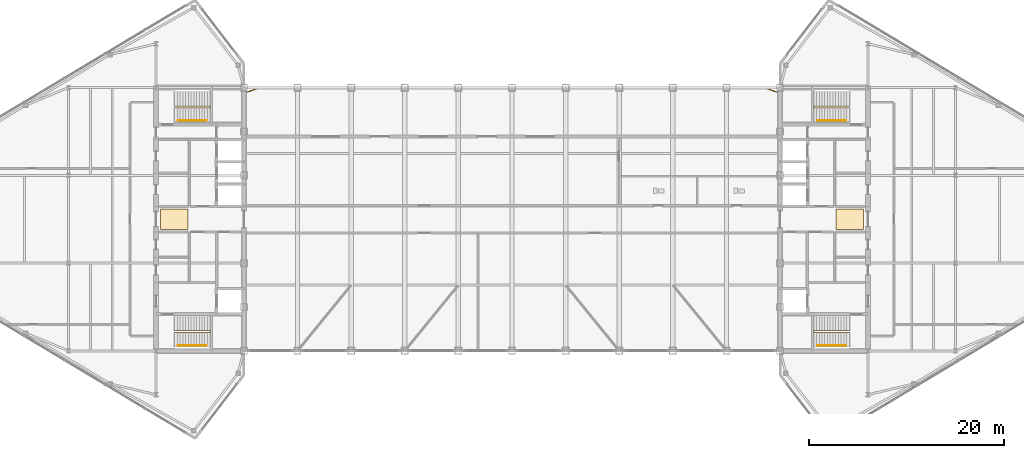
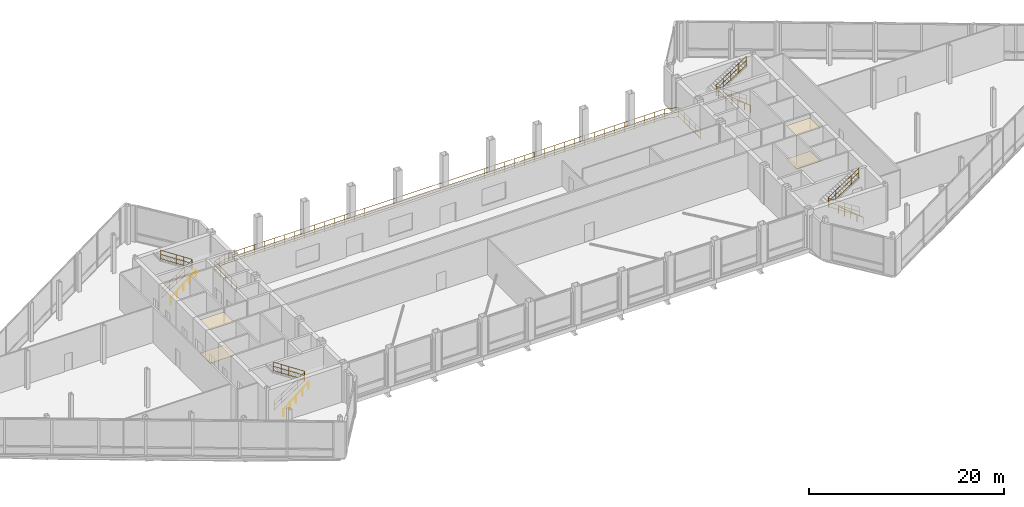
# One storey, part 27 of 28: 9 railings, 4 coverings.
"""IFC4 building model written with IfcOpenShell, lengths in metres."""

from ifc_helpers import new_model, si_unit, direction, frame, origin, origin_2d, place, context, subcontext, project, spatial, polyline, circle, outline, extrude, material, layer, layer_set, type_object, element, save


model = new_model("IFC4")

# Units and contexts
model_context = context("Model", 3, precision=1e-05, world=origin(), true_north=direction((0.0, 1.0)))
body_context = subcontext(model_context, "Body", "Model", "MODEL_VIEW")
ifc_project = project(units=[si_unit("LENGTHUNIT", "METRE"), si_unit("AREAUNIT", "SQUARE_METRE"), si_unit("VOLUMEUNIT", "CUBIC_METRE"), si_unit("PLANEANGLEUNIT", "RADIAN"), si_unit("MASSUNIT", "GRAM", prefix="KILO")], contexts=[model_context])

# Site, building, storey
site_placement = place(None, origin())
site = spatial("IfcSite", under=ifc_project, at=site_placement, CompositionType="ELEMENT")
building_placement = place(site_placement, origin())
building = spatial("IfcBuilding", under=site, at=building_placement, Name="Seokmaru Belvedere", CompositionType="ELEMENT")
storey_placement = place(building_placement, frame((0.0, 0.0, 274.199951171875)))
storey = spatial("IfcBuildingStorey", under=building, at=storey_placement, Name="L72", CompositionType="ELEMENT", Elevation=274.199951171875)

# Coverings
ifc_material_1 = material(Name="Honed Incheon Granite Stone", Category="masonry")
ifc_layer_1 = layer(ifc_material_1, 0.030029296875)
ifc_layer_set_1 = layer_set([ifc_layer_1], Name="Honed Incheon Granite Stone")
covering_type_1 = type_object("IfcCoveringType", Name="Honed Granite Lobby Floor Finish 30", PredefinedType="FLOORING", material=ifc_layer_set_1)
covering_1_placement = place(storey_placement, origin())
element("IfcCovering", 1, at=covering_1_placement, inside=storey, type_object=covering_type_1, Name="L72 W Foyer Floor Finish", PredefinedType="FLOORING", context=body_context, shape_type="SweptSolid", body=[
    extrude(outline(polyline([(-36.050048828125, -1.050048828125), (-33.25, -1.050048828125), (-33.25, 1.050048828125), (-36.050048828125, 1.050048828125), (-36.050048828125, -1.050048828125)])), origin(), (0.0, 0.0, 1.0), 0.030029296875),
])
covering_2_placement = place(storey_placement, origin())
element("IfcCovering", 2, at=covering_2_placement, inside=storey, type_object=covering_type_1, Name="L72 E Foyer Floor Finish", PredefinedType="FLOORING", context=body_context, shape_type="SweptSolid", body=[
    extrude(outline(polyline([(33.25, -1.050048828125), (36.050048828125, -1.050048828125), (36.050048828125, 1.050048828125), (33.25, 1.050048828125), (33.25, -1.050048828125)])), origin(), (0.0, 0.0, 1.0), 0.030029296875),
])

# Railing
ifc_material_2 = material(Name="Stainless Steel 316", Category="steel")
railing_type_1 = type_object("IfcRailingType", Name="Observation Terrace Laminated Balustrade 1300", PredefinedType="GUARDRAIL", material=ifc_material_2)
railing_1_placement = place(storey_placement, frame((-27.419921875, 8.52001953125, 0.0)))
element("IfcRailing", 3, at=railing_1_placement, inside=storey, type_object=railing_type_1, Name="L72 Public Observation Terrace Balustrade", PredefinedType="GUARDRAIL", context=body_context, shape_type="SweptSolid", body=[
    extrude(circle(Radius=0.02392578125, at=origin_2d()), frame((0.0, 0.0, 1.27587890625), z_axis=(0.0, 1.0, 0.0), x_axis=(-1.0, 0.0, 0.0)), (0.0, 0.0, 1.0), 4.4599609375),
    extrude(circle(Radius=0.02392578125, at=origin_2d()), frame((0.0, 0.0, 0.1201171875), z_axis=(0.0, 1.0, 0.0), x_axis=(-1.0, 0.0, 0.0)), (0.0, 0.0, 1.0), 4.4599609375),
    extrude(circle(Radius=0.02392578125, at=origin_2d()), frame((0.0, 0.0, 0.715087890625), z_axis=(0.0, 1.0, 0.0), x_axis=(-1.0, 0.0, 0.0)), (0.0, 0.0, 1.0), 4.4599609375),
    extrude(circle(Radius=0.02392578125, at=origin_2d()), frame((0.0, 4.4599609375, 1.27587890625), z_axis=(0.950647183961, 0.310273962212, 0.0), x_axis=(-0.310273962212, 0.950647183961, 0.0)), (0.0, 0.0, 1.0), 1.5146484375),
    extrude(circle(Radius=0.02392578125, at=origin_2d()), frame((0.0, 4.4599609375, 0.1201171875), z_axis=(0.950647183961, 0.310273962212, 0.0), x_axis=(-0.310273962212, 0.950647183961, 0.0)), (0.0, 0.0, 1.0), 1.5146484375),
    extrude(circle(Radius=0.02392578125, at=origin_2d()), frame((0.0, 4.4599609375, 0.715087890625), z_axis=(0.950647183961, 0.310273962212, 0.0), x_axis=(-0.310273962212, 0.950647183961, 0.0)), (0.0, 0.0, 1.0), 1.5146484375),
    extrude(circle(Radius=0.02392578125, at=origin_2d()), frame((1.43994140625, 4.929931640625, 1.27587890625), z_axis=(1.0, 0.0, 0.0), x_axis=(0.0, 1.0, 0.0)), (0.0, 0.0, 1.0), 51.9599609375),
    extrude(circle(Radius=0.02392578125, at=origin_2d()), frame((1.43994140625, 4.929931640625, 0.1201171875), z_axis=(1.0, 0.0, 0.0), x_axis=(0.0, 1.0, 0.0)), (0.0, 0.0, 1.0), 51.9599609375),
    extrude(circle(Radius=0.02392578125, at=origin_2d()), frame((1.43994140625, 4.929931640625, 0.715087890625), z_axis=(1.0, 0.0, 0.0), x_axis=(0.0, 1.0, 0.0)), (0.0, 0.0, 1.0), 51.9599609375),
    extrude(circle(Radius=0.02392578125, at=origin_2d()), frame((53.39990234375, 4.929931640625, 1.27587890625), z_axis=(0.950647183961, -0.310273962212, 0.0), x_axis=(0.310273962212, 0.950647183961, 0.0)), (0.0, 0.0, 1.0), 1.5146484375),
    extrude(circle(Radius=0.02392578125, at=origin_2d()), frame((53.39990234375, 4.929931640625, 0.1201171875), z_axis=(0.950647183961, -0.310273962212, 0.0), x_axis=(0.310273962212, 0.950647183961, 0.0)), (0.0, 0.0, 1.0), 1.5146484375),
    extrude(circle(Radius=0.02392578125, at=origin_2d()), frame((53.39990234375, 4.929931640625, 0.715087890625), z_axis=(0.950647183961, -0.310273962212, 0.0), x_axis=(0.310273962212, 0.950647183961, 0.0)), (0.0, 0.0, 1.0), 1.5146484375),
    extrude(circle(Radius=0.02392578125, at=origin_2d()), frame((54.83984375, 4.4599609375, 1.27587890625), z_axis=(0.0, -1.0, 0.0), x_axis=(1.0, 0.0, 0.0)), (0.0, 0.0, 1.0), 4.4599609375),
    extrude(circle(Radius=0.02392578125, at=origin_2d()), frame((54.83984375, 4.4599609375, 0.1201171875), z_axis=(0.0, -1.0, 0.0), x_axis=(1.0, 0.0, 0.0)), (0.0, 0.0, 1.0), 4.4599609375),
    extrude(circle(Radius=0.02392578125, at=origin_2d()), frame((54.83984375, 4.4599609375, 0.715087890625), z_axis=(0.0, -1.0, 0.0), x_axis=(1.0, 0.0, 0.0)), (0.0, 0.0, 1.0), 4.4599609375),
    extrude(circle(Radius=0.02099609375, at=origin_2d()), origin(), (0.0, 0.0, 1.0), 1.251953125),
    extrude(circle(Radius=0.02099609375, at=origin_2d()), frame((0.0, 1.114990234375, 0.0)), (0.0, 0.0, 1.0), 1.251953125),
    extrude(circle(Radius=0.02099609375, at=origin_2d()), frame((0.0, 2.22998046875, 0.0)), (0.0, 0.0, 1.0), 1.251953125),
    extrude(circle(Radius=0.02099609375, at=origin_2d()), frame((0.0, 3.344970703125, 0.0)), (0.0, 0.0, 1.0), 1.251953125),
    extrude(circle(Radius=0.02099609375, at=origin_2d()), frame((0.0, 4.4599609375, 0.0)), (0.0, 0.0, 1.0), 1.251953125),
    extrude(circle(Radius=0.02099609375, at=origin_2d()), frame((0.719970703125, 4.69482421875, 0.0)), (0.0, 0.0, 1.0), 1.251953125),
    extrude(circle(Radius=0.02099609375, at=origin_2d()), frame((1.43994140625, 4.929931640625, 0.0)), (0.0, 0.0, 1.0), 1.251953125),
    extrude(circle(Radius=0.02099609375, at=origin_2d()), frame((2.620849609375, 4.929931640625, 0.0)), (0.0, 0.0, 1.0), 1.251953125),
    extrude(circle(Radius=0.02099609375, at=origin_2d()), frame((3.8017578125, 4.929931640625, 0.0)), (0.0, 0.0, 1.0), 1.251953125),
    extrude(circle(Radius=0.02099609375, at=origin_2d()), frame((4.982666015625, 4.929931640625, 0.0)), (0.0, 0.0, 1.0), 1.251953125),
    extrude(circle(Radius=0.02099609375, at=origin_2d()), frame((6.16357421875, 4.929931640625, 0.0)), (0.0, 0.0, 1.0), 1.251953125),
    extrude(circle(Radius=0.02099609375, at=origin_2d()), frame((7.344482421875, 4.929931640625, 0.0)), (0.0, 0.0, 1.0), 1.251953125),
    extrude(circle(Radius=0.02099609375, at=origin_2d()), frame((8.525390625, 4.929931640625, 0.0)), (0.0, 0.0, 1.0), 1.251953125),
    extrude(circle(Radius=0.02099609375, at=origin_2d()), frame((9.706298828125, 4.929931640625, 0.0)), (0.0, 0.0, 1.0), 1.251953125),
    extrude(circle(Radius=0.02099609375, at=origin_2d()), frame((10.88720703125, 4.929931640625, 0.0)), (0.0, 0.0, 1.0), 1.251953125),
    extrude(circle(Radius=0.02099609375, at=origin_2d()), frame((12.068115234375, 4.929931640625, 0.0)), (0.0, 0.0, 1.0), 1.251953125),
    extrude(circle(Radius=0.02099609375, at=origin_2d()), frame((13.2490234375, 4.929931640625, 0.0)), (0.0, 0.0, 1.0), 1.251953125),
    extrude(circle(Radius=0.02099609375, at=origin_2d()), frame((14.429931640625, 4.929931640625, 0.0)), (0.0, 0.0, 1.0), 1.251953125),
    extrude(circle(Radius=0.02099609375, at=origin_2d()), frame((15.61083984375, 4.929931640625, 0.0)), (0.0, 0.0, 1.0), 1.251953125),
    extrude(circle(Radius=0.02099609375, at=origin_2d()), frame((16.791748046875, 4.929931640625, 0.0)), (0.0, 0.0, 1.0), 1.251953125),
    extrude(circle(Radius=0.02099609375, at=origin_2d()), frame((17.97265625, 4.929931640625, 0.0)), (0.0, 0.0, 1.0), 1.251953125),
    extrude(circle(Radius=0.02099609375, at=origin_2d()), frame((19.153564453125, 4.929931640625, 0.0)), (0.0, 0.0, 1.0), 1.251953125),
    extrude(circle(Radius=0.02099609375, at=origin_2d()), frame((20.33447265625, 4.929931640625, 0.0)), (0.0, 0.0, 1.0), 1.251953125),
    extrude(circle(Radius=0.02099609375, at=origin_2d()), frame((21.515380859375, 4.929931640625, 0.0)), (0.0, 0.0, 1.0), 1.251953125),
    extrude(circle(Radius=0.02099609375, at=origin_2d()), frame((22.6962890625, 4.929931640625, 0.0)), (0.0, 0.0, 1.0), 1.251953125),
    extrude(circle(Radius=0.02099609375, at=origin_2d()), frame((23.877197265625, 4.929931640625, 0.0)), (0.0, 0.0, 1.0), 1.251953125),
    extrude(circle(Radius=0.02099609375, at=origin_2d()), frame((25.05810546875, 4.929931640625, 0.0)), (0.0, 0.0, 1.0), 1.251953125),
    extrude(circle(Radius=0.02099609375, at=origin_2d()), frame((26.239013671875, 4.929931640625, 0.0)), (0.0, 0.0, 1.0), 1.251953125),
    extrude(circle(Radius=0.02099609375, at=origin_2d()), frame((27.419921875, 4.929931640625, 0.0)), (0.0, 0.0, 1.0), 1.251953125),
    extrude(circle(Radius=0.02099609375, at=origin_2d()), frame((28.600830078125, 4.929931640625, 0.0)), (0.0, 0.0, 1.0), 1.251953125),
    extrude(circle(Radius=0.02099609375, at=origin_2d()), frame((29.78173828125, 4.929931640625, 0.0)), (0.0, 0.0, 1.0), 1.251953125),
    extrude(circle(Radius=0.02099609375, at=origin_2d()), frame((30.962646484375, 4.929931640625, 0.0)), (0.0, 0.0, 1.0), 1.251953125),
    extrude(circle(Radius=0.02099609375, at=origin_2d()), frame((32.1435546875, 4.929931640625, 0.0)), (0.0, 0.0, 1.0), 1.251953125),
    extrude(circle(Radius=0.02099609375, at=origin_2d()), frame((33.324462890625, 4.929931640625, 0.0)), (0.0, 0.0, 1.0), 1.251953125),
    extrude(circle(Radius=0.02099609375, at=origin_2d()), frame((34.50537109375, 4.929931640625, 0.0)), (0.0, 0.0, 1.0), 1.251953125),
    extrude(circle(Radius=0.02099609375, at=origin_2d()), frame((35.686279296875, 4.929931640625, 0.0)), (0.0, 0.0, 1.0), 1.251953125),
    extrude(circle(Radius=0.02099609375, at=origin_2d()), frame((36.8671875, 4.929931640625, 0.0)), (0.0, 0.0, 1.0), 1.251953125),
    extrude(circle(Radius=0.02099609375, at=origin_2d()), frame((38.048095703125, 4.929931640625, 0.0)), (0.0, 0.0, 1.0), 1.251953125),
    extrude(circle(Radius=0.02099609375, at=origin_2d()), frame((39.22900390625, 4.929931640625, 0.0)), (0.0, 0.0, 1.0), 1.251953125),
    extrude(circle(Radius=0.02099609375, at=origin_2d()), frame((40.409912109375, 4.929931640625, 0.0)), (0.0, 0.0, 1.0), 1.251953125),
    extrude(circle(Radius=0.02099609375, at=origin_2d()), frame((41.5908203125, 4.929931640625, 0.0)), (0.0, 0.0, 1.0), 1.251953125),
    extrude(circle(Radius=0.02099609375, at=origin_2d()), frame((42.771728515625, 4.929931640625, 0.0)), (0.0, 0.0, 1.0), 1.251953125),
    extrude(circle(Radius=0.02099609375, at=origin_2d()), frame((43.95263671875, 4.929931640625, 0.0)), (0.0, 0.0, 1.0), 1.251953125),
    extrude(circle(Radius=0.02099609375, at=origin_2d()), frame((45.133544921875, 4.929931640625, 0.0)), (0.0, 0.0, 1.0), 1.251953125),
    extrude(circle(Radius=0.02099609375, at=origin_2d()), frame((46.314453125, 4.929931640625, 0.0)), (0.0, 0.0, 1.0), 1.251953125),
    extrude(circle(Radius=0.02099609375, at=origin_2d()), frame((47.495361328125, 4.929931640625, 0.0)), (0.0, 0.0, 1.0), 1.251953125),
    extrude(circle(Radius=0.02099609375, at=origin_2d()), frame((48.67626953125, 4.929931640625, 0.0)), (0.0, 0.0, 1.0), 1.251953125),
    extrude(circle(Radius=0.02099609375, at=origin_2d()), frame((49.857177734375, 4.929931640625, 0.0)), (0.0, 0.0, 1.0), 1.251953125),
    extrude(circle(Radius=0.02099609375, at=origin_2d()), frame((51.0380859375, 4.929931640625, 0.0)), (0.0, 0.0, 1.0), 1.251953125),
    extrude(circle(Radius=0.02099609375, at=origin_2d()), frame((52.218994140625, 4.929931640625, 0.0)), (0.0, 0.0, 1.0), 1.251953125),
    extrude(circle(Radius=0.02099609375, at=origin_2d()), frame((53.39990234375, 4.929931640625, 0.0)), (0.0, 0.0, 1.0), 1.251953125),
    extrude(circle(Radius=0.02099609375, at=origin_2d()), frame((54.119873046875, 4.69482421875, 0.0)), (0.0, 0.0, 1.0), 1.251953125),
    extrude(circle(Radius=0.02099609375, at=origin_2d()), frame((54.83984375, 4.4599609375, 0.0)), (0.0, 0.0, 1.0), 1.251953125),
    extrude(circle(Radius=0.02099609375, at=origin_2d()), frame((54.83984375, 3.344970703125, 0.0)), (0.0, 0.0, 1.0), 1.251953125),
    extrude(circle(Radius=0.02099609375, at=origin_2d()), frame((54.83984375, 2.22998046875, 0.0)), (0.0, 0.0, 1.0), 1.251953125),
    extrude(circle(Radius=0.02099609375, at=origin_2d()), frame((54.83984375, 1.114990234375, 0.0)), (0.0, 0.0, 1.0), 1.251953125),
    extrude(circle(Radius=0.02099609375, at=origin_2d()), frame((54.83984375, 0.0, 0.0)), (0.0, 0.0, 1.0), 1.251953125),
])

# Coverings
ifc_material_3 = material(Name="Fire-Rated Gypsum Shaftwall")
ifc_layer_2 = layer(ifc_material_3, 0.02490234375)
ifc_layer_set_2 = layer_set([ifc_layer_2], Name="Fire-Rated Gypsum Shaftwall")
covering_type_2 = type_object("IfcCoveringType", Name="Perforated Acoustic Gypsum Suspended Ceiling 25", PredefinedType="CEILING", material=ifc_layer_set_2)
covering_3_placement = place(storey_placement, frame((0.0, 0.0, 4.170166015625)))
element("IfcCovering", 4, at=covering_3_placement, inside=storey, type_object=covering_type_2, Name="L72 W Lift Foyer Acoustic Ceiling", PredefinedType="CEILING", context=body_context, shape_type="SweptSolid", body=[
    extrude(outline(polyline([(-36.050048828125, -1.050048828125), (-33.25, -1.050048828125), (-33.25, 1.050048828125), (-36.050048828125, 1.050048828125), (-36.050048828125, -1.050048828125)])), origin(), (0.0, 0.0, 1.0), 0.02490234375),
])
covering_4_placement = place(storey_placement, frame((0.0, 0.0, 4.170166015625)))
element("IfcCovering", 5, at=covering_4_placement, inside=storey, type_object=covering_type_2, Name="L72 E Lift Foyer Acoustic Ceiling", PredefinedType="CEILING", context=body_context, shape_type="SweptSolid", body=[
    extrude(outline(polyline([(33.25, -1.050048828125), (36.050048828125, -1.050048828125), (36.050048828125, 1.050048828125), (33.25, 1.050048828125), (33.25, -1.050048828125)])), origin(), (0.0, 0.0, 1.0), 0.02490234375),
])

# Railings
railing_type_2 = type_object("IfcRailingType", Name="Stainless Steel Wall and Flight Handrail 900", PredefinedType="HANDRAIL", material=ifc_material_2)
for number, where, name in (
    (6, (-34.25, -12.949951171875, 0.0), "L72 Stair ST-W1 Wall Handrail"),
    (7, (-34.25, 10.110107421875, 0.0), "L72 Stair ST-W2 Wall Handrail"),
):
    element("IfcRailing", number, at=place(storey_placement, frame(where)), inside=storey, type_object=railing_type_2, Name=name, PredefinedType="HANDRAIL", context=body_context, shape_type="SweptSolid", body=[
        extrude(circle(Radius=0.02392578125, at=origin_2d()), frame((0.0, 0.0, 0.8759765625), z_axis=(0.774636117937, 0.0, 0.63240721437), x_axis=(0.0, 1.0, 0.0)), (0.0, 0.0, 1.0), 3.795166015625),
        extrude(circle(Radius=0.02099609375, at=origin_2d()), origin(), (0.0, 0.0, 1.0), 0.851806640625),
        extrude(circle(Radius=0.02099609375, at=origin_2d()), frame((0.73486328125, 0.0, 0.60009765625)), (0.0, 0.0, 1.0), 0.851806640625),
        extrude(circle(Radius=0.02099609375, at=origin_2d()), frame((1.469970703125, 0.0, 1.2001953125)), (0.0, 0.0, 1.0), 0.851806640625),
        extrude(circle(Radius=0.02099609375, at=origin_2d()), frame((2.205078125, 0.0, 1.800048828125)), (0.0, 0.0, 1.0), 0.851806640625),
        extrude(circle(Radius=0.02099609375, at=origin_2d()), frame((2.93994140625, 0.0, 2.400146484375)), (0.0, 0.0, 1.0), 0.851806640625),
    ])
for number, where, name in (
    (8, (34.25, -12.949951171875, 0.0), "L72 Stair ST-E1 Wall Handrail"),
    (9, (34.25, 10.110107421875, 0.0), "L72 Stair ST-E2 Wall Handrail"),
):
    element("IfcRailing", number, at=place(storey_placement, frame(where)), inside=storey, type_object=railing_type_2, Name=name, PredefinedType="HANDRAIL", context=body_context, shape_type="SweptSolid", body=[
        extrude(circle(Radius=0.02392578125, at=origin_2d()), frame((0.0, 0.0, 0.8759765625), z_axis=(-0.774636117937, 0.0, 0.63240721437), x_axis=(0.0, -1.0, 0.0)), (0.0, 0.0, 1.0), 3.795166015625),
        extrude(circle(Radius=0.02099609375, at=origin_2d()), origin(), (0.0, 0.0, 1.0), 0.851806640625),
        extrude(circle(Radius=0.02099609375, at=origin_2d()), frame((-0.73486328125, 0.0, 0.60009765625)), (0.0, 0.0, 1.0), 0.851806640625),
        extrude(circle(Radius=0.02099609375, at=origin_2d()), frame((-1.469970703125, 0.0, 1.2001953125)), (0.0, 0.0, 1.0), 0.851806640625),
        extrude(circle(Radius=0.02099609375, at=origin_2d()), frame((-2.205078125, 0.0, 1.800048828125)), (0.0, 0.0, 1.0), 0.851806640625),
        extrude(circle(Radius=0.02099609375, at=origin_2d()), frame((-2.93994140625, 0.0, 2.400146484375)), (0.0, 0.0, 1.0), 0.851806640625),
    ])
railing_type_3 = type_object("IfcRailingType", Name="Stair Well and Atrium Steel Guardrail 1200", PredefinedType="GUARDRAIL", material=ifc_material_2)
railing_2_placement = place(storey_placement, frame((-34.60009765625, -11.60009765625, 0.0)))
element("IfcRailing", 10, at=railing_2_placement, inside=storey, type_object=railing_type_3, Name="L72 Stair ST-W1 Inner Well Guardrail", PredefinedType="GUARDRAIL", context=body_context, shape_type="SweptSolid", body=[
    extrude(circle(Radius=0.02392578125, at=origin_2d()), frame((0.0, 0.0, 1.17578125), z_axis=(0.834856447115, 0.0, 0.55046772177), x_axis=(0.0, 1.0, 0.0)), (0.0, 0.0, 1.0), 4.360107421875),
    extrude(circle(Radius=0.02392578125, at=origin_2d()), frame((0.0, 0.0, 0.1201171875), z_axis=(0.834856447115, 0.0, 0.55046772177), x_axis=(0.0, 1.0, 0.0)), (0.0, 0.0, 1.0), 4.360107421875),
    extrude(circle(Radius=0.02392578125, at=origin_2d()), frame((0.0, 0.0, 0.659912109375), z_axis=(0.834856447115, 0.0, 0.55046772177), x_axis=(0.0, 1.0, 0.0)), (0.0, 0.0, 1.0), 4.360107421875),
    extrude(circle(Radius=0.02392578125, at=origin_2d()), frame((3.64013671875, 0.0, 3.576171875), z_axis=(0.0, 1.0, 0.0), x_axis=(-1.0, 0.0, 0.0)), (0.0, 0.0, 1.0), 0.14013671875),
    extrude(circle(Radius=0.02392578125, at=origin_2d()), frame((3.64013671875, 0.0, 2.520263671875), z_axis=(0.0, 1.0, 0.0), x_axis=(-1.0, 0.0, 0.0)), (0.0, 0.0, 1.0), 0.14013671875),
    extrude(circle(Radius=0.02392578125, at=origin_2d()), frame((3.64013671875, 0.0, 3.06005859375), z_axis=(0.0, 1.0, 0.0), x_axis=(-1.0, 0.0, 0.0)), (0.0, 0.0, 1.0), 0.14013671875),
    extrude(circle(Radius=0.02392578125, at=origin_2d()), frame((3.64013671875, 0.14013671875, 3.576171875), z_axis=(-0.83488217925, 0.0, 0.55042869363), x_axis=(0.0, -1.0, 0.0)), (0.0, 0.0, 1.0), 4.360107421875),
    extrude(circle(Radius=0.02392578125, at=origin_2d()), frame((3.64013671875, 0.14013671875, 2.520263671875), z_axis=(-0.83488217925, 0.0, 0.55042869363), x_axis=(0.0, -1.0, 0.0)), (0.0, 0.0, 1.0), 4.360107421875),
    extrude(circle(Radius=0.02392578125, at=origin_2d()), frame((3.64013671875, 0.14013671875, 3.06005859375), z_axis=(-0.83488217925, 0.0, 0.55042869363), x_axis=(0.0, -1.0, 0.0)), (0.0, 0.0, 1.0), 4.360107421875),
    extrude(circle(Radius=0.02099609375, at=origin_2d()), origin(), (0.0, 0.0, 1.0), 1.15185546875),
    extrude(circle(Radius=0.02099609375, at=origin_2d()), frame((0.91015625, 0.0, 0.60009765625)), (0.0, 0.0, 1.0), 1.15185546875),
    extrude(circle(Radius=0.02099609375, at=origin_2d()), frame((1.820068359375, 0.0, 1.2001953125)), (0.0, 0.0, 1.0), 1.15185546875),
    extrude(circle(Radius=0.02099609375, at=origin_2d()), frame((2.72998046875, 0.0, 1.800048828125)), (0.0, 0.0, 1.0), 1.15185546875),
    extrude(circle(Radius=0.02099609375, at=origin_2d()), frame((3.64013671875, 0.0, 2.400146484375)), (0.0, 0.0, 1.0), 1.15185546875),
    extrude(circle(Radius=0.02099609375, at=origin_2d()), frame((3.64013671875, 0.14013671875, 2.400146484375)), (0.0, 0.0, 1.0), 1.15185546875),
    extrude(circle(Radius=0.02099609375, at=origin_2d()), frame((2.72998046875, 0.14013671875, 3.0)), (0.0, 0.0, 1.0), 1.15185546875),
    extrude(circle(Radius=0.02099609375, at=origin_2d()), frame((1.820068359375, 0.14013671875, 3.60009765625)), (0.0, 0.0, 1.0), 1.15185546875),
    extrude(circle(Radius=0.02099609375, at=origin_2d()), frame((0.91015625, 0.14013671875, 4.2001953125)), (0.0, 0.0, 1.0), 1.15185546875),
    extrude(circle(Radius=0.02099609375, at=origin_2d()), frame((0.0, 0.14013671875, 4.800048828125)), (0.0, 0.0, 1.0), 1.15185546875),
])
railing_3_placement = place(storey_placement, frame((-34.60009765625, 11.4599609375, 0.0)))
element("IfcRailing", 11, at=railing_3_placement, inside=storey, type_object=railing_type_3, Name="L72 Stair ST-W2 Inner Well Guardrail", PredefinedType="GUARDRAIL", context=body_context, shape_type="SweptSolid", body=[
    extrude(circle(Radius=0.02392578125, at=origin_2d()), frame((0.0, 0.0, 1.17578125), z_axis=(0.834856447115, 0.0, 0.55046772177), x_axis=(0.0, 1.0, 0.0)), (0.0, 0.0, 1.0), 4.360107421875),
    extrude(circle(Radius=0.02392578125, at=origin_2d()), frame((0.0, 0.0, 0.1201171875), z_axis=(0.834856447115, 0.0, 0.55046772177), x_axis=(0.0, 1.0, 0.0)), (0.0, 0.0, 1.0), 4.360107421875),
    extrude(circle(Radius=0.02392578125, at=origin_2d()), frame((0.0, 0.0, 0.659912109375), z_axis=(0.834856447115, 0.0, 0.55046772177), x_axis=(0.0, 1.0, 0.0)), (0.0, 0.0, 1.0), 4.360107421875),
    extrude(circle(Radius=0.02392578125, at=origin_2d()), frame((3.64013671875, 0.0, 3.576171875), z_axis=(0.0, 1.0, 0.0), x_axis=(-1.0, 0.0, 0.0)), (0.0, 0.0, 1.0), 0.14013671875),
    extrude(circle(Radius=0.02392578125, at=origin_2d()), frame((3.64013671875, 0.0, 2.520263671875), z_axis=(0.0, 1.0, 0.0), x_axis=(-1.0, 0.0, 0.0)), (0.0, 0.0, 1.0), 0.14013671875),
    extrude(circle(Radius=0.02392578125, at=origin_2d()), frame((3.64013671875, 0.0, 3.06005859375), z_axis=(0.0, 1.0, 0.0), x_axis=(-1.0, 0.0, 0.0)), (0.0, 0.0, 1.0), 0.14013671875),
    extrude(circle(Radius=0.02392578125, at=origin_2d()), frame((3.64013671875, 0.14013671875, 3.576171875), z_axis=(-0.83488217925, 0.0, 0.55042869363), x_axis=(0.0, -1.0, 0.0)), (0.0, 0.0, 1.0), 4.360107421875),
    extrude(circle(Radius=0.02392578125, at=origin_2d()), frame((3.64013671875, 0.14013671875, 2.520263671875), z_axis=(-0.83488217925, 0.0, 0.55042869363), x_axis=(0.0, -1.0, 0.0)), (0.0, 0.0, 1.0), 4.360107421875),
    extrude(circle(Radius=0.02392578125, at=origin_2d()), frame((3.64013671875, 0.14013671875, 3.06005859375), z_axis=(-0.83488217925, 0.0, 0.55042869363), x_axis=(0.0, -1.0, 0.0)), (0.0, 0.0, 1.0), 4.360107421875),
    extrude(circle(Radius=0.02099609375, at=origin_2d()), origin(), (0.0, 0.0, 1.0), 1.15185546875),
    extrude(circle(Radius=0.02099609375, at=origin_2d()), frame((0.91015625, 0.0, 0.60009765625)), (0.0, 0.0, 1.0), 1.15185546875),
    extrude(circle(Radius=0.02099609375, at=origin_2d()), frame((1.820068359375, 0.0, 1.2001953125)), (0.0, 0.0, 1.0), 1.15185546875),
    extrude(circle(Radius=0.02099609375, at=origin_2d()), frame((2.72998046875, 0.0, 1.800048828125)), (0.0, 0.0, 1.0), 1.15185546875),
    extrude(circle(Radius=0.02099609375, at=origin_2d()), frame((3.64013671875, 0.0, 2.400146484375)), (0.0, 0.0, 1.0), 1.15185546875),
    extrude(circle(Radius=0.02099609375, at=origin_2d()), frame((3.64013671875, 0.14013671875, 2.400146484375)), (0.0, 0.0, 1.0), 1.15185546875),
    extrude(circle(Radius=0.02099609375, at=origin_2d()), frame((2.72998046875, 0.14013671875, 3.0)), (0.0, 0.0, 1.0), 1.15185546875),
    extrude(circle(Radius=0.02099609375, at=origin_2d()), frame((1.820068359375, 0.14013671875, 3.60009765625)), (0.0, 0.0, 1.0), 1.15185546875),
    extrude(circle(Radius=0.02099609375, at=origin_2d()), frame((0.91015625, 0.14013671875, 4.2001953125)), (0.0, 0.0, 1.0), 1.15185546875),
    extrude(circle(Radius=0.02099609375, at=origin_2d()), frame((0.0, 0.14013671875, 4.800048828125)), (0.0, 0.0, 1.0), 1.15185546875),
])
railing_4_placement = place(storey_placement, frame((34.60009765625, -11.60009765625, 0.0)))
element("IfcRailing", 12, at=railing_4_placement, inside=storey, type_object=railing_type_3, Name="L72 Stair ST-E1 Inner Well Guardrail", PredefinedType="GUARDRAIL", context=body_context, shape_type="SweptSolid", body=[
    extrude(circle(Radius=0.02392578125, at=origin_2d()), frame((0.0, 0.0, 1.17578125), z_axis=(-0.834856447115, 0.0, 0.55046772177), x_axis=(0.0, -1.0, 0.0)), (0.0, 0.0, 1.0), 4.360107421875),
    extrude(circle(Radius=0.02392578125, at=origin_2d()), frame((0.0, 0.0, 0.1201171875), z_axis=(-0.834856447115, 0.0, 0.55046772177), x_axis=(0.0, -1.0, 0.0)), (0.0, 0.0, 1.0), 4.360107421875),
    extrude(circle(Radius=0.02392578125, at=origin_2d()), frame((0.0, 0.0, 0.659912109375), z_axis=(-0.834856447115, 0.0, 0.55046772177), x_axis=(0.0, -1.0, 0.0)), (0.0, 0.0, 1.0), 4.360107421875),
    extrude(circle(Radius=0.02392578125, at=origin_2d()), frame((-3.64013671875, 0.0, 3.576171875), z_axis=(0.0, 1.0, 0.0), x_axis=(-1.0, 0.0, 0.0)), (0.0, 0.0, 1.0), 0.14013671875),
    extrude(circle(Radius=0.02392578125, at=origin_2d()), frame((-3.64013671875, 0.0, 2.520263671875), z_axis=(0.0, 1.0, 0.0), x_axis=(-1.0, 0.0, 0.0)), (0.0, 0.0, 1.0), 0.14013671875),
    extrude(circle(Radius=0.02392578125, at=origin_2d()), frame((-3.64013671875, 0.0, 3.06005859375), z_axis=(0.0, 1.0, 0.0), x_axis=(-1.0, 0.0, 0.0)), (0.0, 0.0, 1.0), 0.14013671875),
    extrude(circle(Radius=0.02392578125, at=origin_2d()), frame((-3.64013671875, 0.14013671875, 3.576171875), z_axis=(0.83488217925, 0.0, 0.55042869363), x_axis=(0.0, 1.0, 0.0)), (0.0, 0.0, 1.0), 4.360107421875),
    extrude(circle(Radius=0.02392578125, at=origin_2d()), frame((-3.64013671875, 0.14013671875, 2.520263671875), z_axis=(0.83488217925, 0.0, 0.55042869363), x_axis=(0.0, 1.0, 0.0)), (0.0, 0.0, 1.0), 4.360107421875),
    extrude(circle(Radius=0.02392578125, at=origin_2d()), frame((-3.64013671875, 0.14013671875, 3.06005859375), z_axis=(0.83488217925, 0.0, 0.55042869363), x_axis=(0.0, 1.0, 0.0)), (0.0, 0.0, 1.0), 4.360107421875),
    extrude(circle(Radius=0.02099609375, at=origin_2d()), origin(), (0.0, 0.0, 1.0), 1.15185546875),
    extrude(circle(Radius=0.02099609375, at=origin_2d()), frame((-0.91015625, 0.0, 0.60009765625)), (0.0, 0.0, 1.0), 1.15185546875),
    extrude(circle(Radius=0.02099609375, at=origin_2d()), frame((-1.820068359375, 0.0, 1.2001953125)), (0.0, 0.0, 1.0), 1.15185546875),
    extrude(circle(Radius=0.02099609375, at=origin_2d()), frame((-2.72998046875, 0.0, 1.800048828125)), (0.0, 0.0, 1.0), 1.15185546875),
    extrude(circle(Radius=0.02099609375, at=origin_2d()), frame((-3.64013671875, 0.0, 2.400146484375)), (0.0, 0.0, 1.0), 1.15185546875),
    extrude(circle(Radius=0.02099609375, at=origin_2d()), frame((-3.64013671875, 0.14013671875, 2.400146484375)), (0.0, 0.0, 1.0), 1.15185546875),
    extrude(circle(Radius=0.02099609375, at=origin_2d()), frame((-2.72998046875, 0.14013671875, 3.0)), (0.0, 0.0, 1.0), 1.15185546875),
    extrude(circle(Radius=0.02099609375, at=origin_2d()), frame((-1.820068359375, 0.14013671875, 3.60009765625)), (0.0, 0.0, 1.0), 1.15185546875),
    extrude(circle(Radius=0.02099609375, at=origin_2d()), frame((-0.91015625, 0.14013671875, 4.2001953125)), (0.0, 0.0, 1.0), 1.15185546875),
    extrude(circle(Radius=0.02099609375, at=origin_2d()), frame((0.0, 0.14013671875, 4.800048828125)), (0.0, 0.0, 1.0), 1.15185546875),
])
railing_5_placement = place(storey_placement, frame((34.60009765625, 11.4599609375, 0.0)))
element("IfcRailing", 13, at=railing_5_placement, inside=storey, type_object=railing_type_3, Name="L72 Stair ST-E2 Inner Well Guardrail", PredefinedType="GUARDRAIL", context=body_context, shape_type="SweptSolid", body=[
    extrude(circle(Radius=0.02392578125, at=origin_2d()), frame((0.0, 0.0, 1.17578125), z_axis=(-0.834856447115, 0.0, 0.55046772177), x_axis=(0.0, -1.0, 0.0)), (0.0, 0.0, 1.0), 4.360107421875),
    extrude(circle(Radius=0.02392578125, at=origin_2d()), frame((0.0, 0.0, 0.1201171875), z_axis=(-0.834856447115, 0.0, 0.55046772177), x_axis=(0.0, -1.0, 0.0)), (0.0, 0.0, 1.0), 4.360107421875),
    extrude(circle(Radius=0.02392578125, at=origin_2d()), frame((0.0, 0.0, 0.659912109375), z_axis=(-0.834856447115, 0.0, 0.55046772177), x_axis=(0.0, -1.0, 0.0)), (0.0, 0.0, 1.0), 4.360107421875),
    extrude(circle(Radius=0.02392578125, at=origin_2d()), frame((-3.64013671875, 0.0, 3.576171875), z_axis=(0.0, 1.0, 0.0), x_axis=(-1.0, 0.0, 0.0)), (0.0, 0.0, 1.0), 0.14013671875),
    extrude(circle(Radius=0.02392578125, at=origin_2d()), frame((-3.64013671875, 0.0, 2.520263671875), z_axis=(0.0, 1.0, 0.0), x_axis=(-1.0, 0.0, 0.0)), (0.0, 0.0, 1.0), 0.14013671875),
    extrude(circle(Radius=0.02392578125, at=origin_2d()), frame((-3.64013671875, 0.0, 3.06005859375), z_axis=(0.0, 1.0, 0.0), x_axis=(-1.0, 0.0, 0.0)), (0.0, 0.0, 1.0), 0.14013671875),
    extrude(circle(Radius=0.02392578125, at=origin_2d()), frame((-3.64013671875, 0.14013671875, 3.576171875), z_axis=(0.83488217925, 0.0, 0.55042869363), x_axis=(0.0, 1.0, 0.0)), (0.0, 0.0, 1.0), 4.360107421875),
    extrude(circle(Radius=0.02392578125, at=origin_2d()), frame((-3.64013671875, 0.14013671875, 2.520263671875), z_axis=(0.83488217925, 0.0, 0.55042869363), x_axis=(0.0, 1.0, 0.0)), (0.0, 0.0, 1.0), 4.360107421875),
    extrude(circle(Radius=0.02392578125, at=origin_2d()), frame((-3.64013671875, 0.14013671875, 3.06005859375), z_axis=(0.83488217925, 0.0, 0.55042869363), x_axis=(0.0, 1.0, 0.0)), (0.0, 0.0, 1.0), 4.360107421875),
    extrude(circle(Radius=0.02099609375, at=origin_2d()), origin(), (0.0, 0.0, 1.0), 1.15185546875),
    extrude(circle(Radius=0.02099609375, at=origin_2d()), frame((-0.91015625, 0.0, 0.60009765625)), (0.0, 0.0, 1.0), 1.15185546875),
    extrude(circle(Radius=0.02099609375, at=origin_2d()), frame((-1.820068359375, 0.0, 1.2001953125)), (0.0, 0.0, 1.0), 1.15185546875),
    extrude(circle(Radius=0.02099609375, at=origin_2d()), frame((-2.72998046875, 0.0, 1.800048828125)), (0.0, 0.0, 1.0), 1.15185546875),
    extrude(circle(Radius=0.02099609375, at=origin_2d()), frame((-3.64013671875, 0.0, 2.400146484375)), (0.0, 0.0, 1.0), 1.15185546875),
    extrude(circle(Radius=0.02099609375, at=origin_2d()), frame((-3.64013671875, 0.14013671875, 2.400146484375)), (0.0, 0.0, 1.0), 1.15185546875),
    extrude(circle(Radius=0.02099609375, at=origin_2d()), frame((-2.72998046875, 0.14013671875, 3.0)), (0.0, 0.0, 1.0), 1.15185546875),
    extrude(circle(Radius=0.02099609375, at=origin_2d()), frame((-1.820068359375, 0.14013671875, 3.60009765625)), (0.0, 0.0, 1.0), 1.15185546875),
    extrude(circle(Radius=0.02099609375, at=origin_2d()), frame((-0.91015625, 0.14013671875, 4.2001953125)), (0.0, 0.0, 1.0), 1.15185546875),
    extrude(circle(Radius=0.02099609375, at=origin_2d()), frame((0.0, 0.14013671875, 4.800048828125)), (0.0, 0.0, 1.0), 1.15185546875),
])

save(model, "model.ifc")
